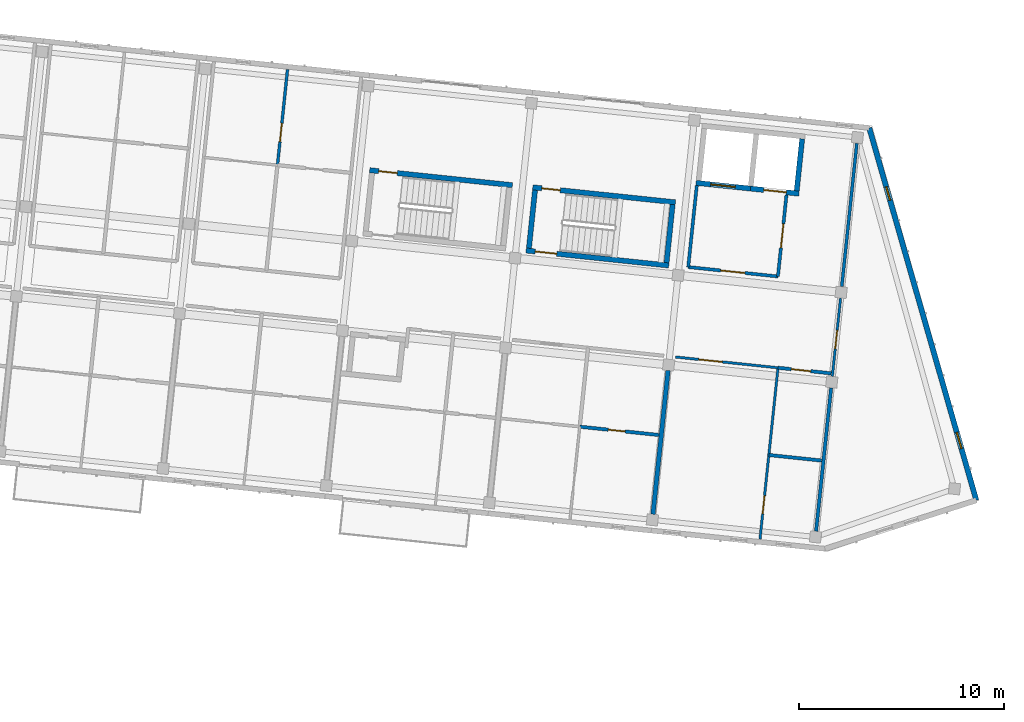
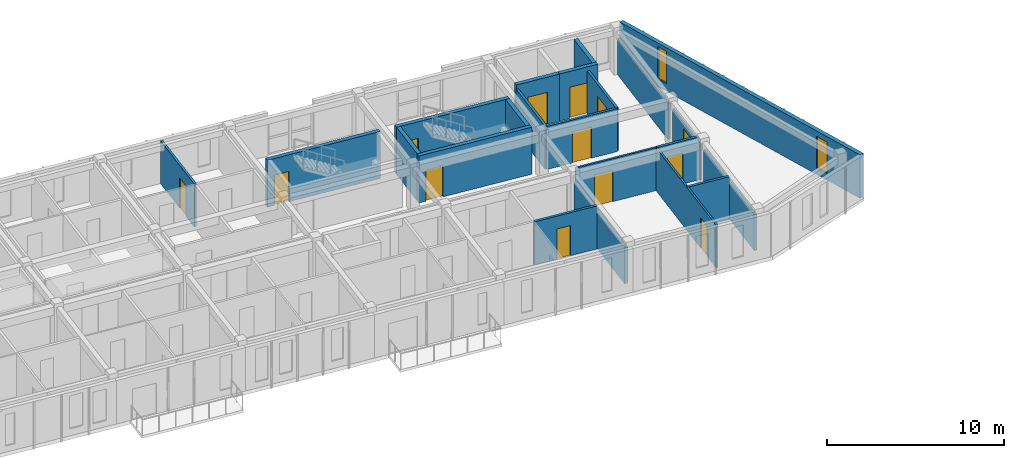
# One storey, part 35 of 74: 22 walls, 13 doors, 2 windows, 15 openings.
"""IFC4 building model written with IfcOpenShell, lengths in metres."""

from ifc_helpers import new_model, si_unit, direction, frame, frame_2d, origin, place, context, subcontext, project, spatial, rectangle, extrude, material, layer, layer_set, type_object, element, fill, save


model = new_model("IFC4")

# Units and contexts
model_context = context("Model", 3, precision=1e-05, world=origin(), true_north=direction((0.0, 1.0)))
body_context = subcontext(model_context, "Body", "Model", "MODEL_VIEW")
ifc_project = project(units=[si_unit("LENGTHUNIT", "METRE"), si_unit("AREAUNIT", "SQUARE_METRE"), si_unit("VOLUMEUNIT", "CUBIC_METRE"), si_unit("PLANEANGLEUNIT", "RADIAN"), si_unit("MASSUNIT", "GRAM", prefix="KILO")], contexts=[model_context])

# Site, building, storey
site_placement = place(None, origin())
site = spatial("IfcSite", under=ifc_project, at=site_placement, CompositionType="ELEMENT")
building_placement = place(site_placement, origin())
building = spatial("IfcBuilding", under=site, at=building_placement, Name="Kestramere Prow Commons", CompositionType="ELEMENT")
storey_placement = place(building_placement, frame((0.0, 0.0, 11.64990234375)))
storey = spatial("IfcBuildingStorey", under=building, at=storey_placement, Name="L03", CompositionType="ELEMENT", Elevation=11.64990234375)

# Wall, openings, windows
ifc_material_1 = material(Name="Weathered Zinc-Titanium Standing-Seam Cladding")
ifc_layer_1 = layer(ifc_material_1, 0.260009765625)
ifc_layer_set_1 = layer_set([ifc_layer_1], Name="Weathered Zinc-Titanium Standing-Seam Cladding")
wall_type_1 = type_object("IfcWallType", Name="EW-PROW-260", PredefinedType="SOLIDWALL", material=ifc_layer_set_1)
wall_1_placement = place(storey_placement, frame((160.36279296875, 109.742431640625, 0.0), z_axis=(0.0, 0.0, 1.0), x_axis=(0.276322184526, -0.961065060409, 0.0)))
wall_1 = element("IfcWall", 1, at=wall_1_placement, inside=storey, type_object=wall_type_1, Name="Block B L03 PRW-N Facet Wall", PredefinedType="SOLIDWALL", context=body_context, shape_type="SweptSolid", body=[
    extrude(rectangle(XDim=18.90673828125, YDim=0.260009765625, at=frame_2d((9.453369140625, 0.0))), origin(), (0.0, 0.0, 1.0), 3.0),
])
opening_1_placement = place(wall_1_placement, frame((2.989990234375, 0.0, 0.52001953125)))
opening_1 = element("IfcOpeningElement", 2, at=opening_1_placement, cuts=wall_1, Name="Opening WN-06", PredefinedType="OPENING", context=body_context, shape_type="SweptSolid", body=[
    extrude(rectangle(XDim=0.679931640625, YDim=2.239990234375, at=frame_2d((0.33984375, 1.1201171875))), frame((0.0, 0.14501953125, 0.0), z_axis=(0.0, -1.0, 0.0), x_axis=(1.0, 0.0, 0.0)), (0.0, 0.0, 1.0), 0.2900390625),
])
opening_2_placement = place(wall_1_placement, frame((15.456787109375, 0.0, 0.449951171875)))
opening_2 = element("IfcOpeningElement", 3, at=opening_2_placement, cuts=wall_1, Name="Opening WN-13", PredefinedType="OPENING", context=body_context, shape_type="SweptSolid", body=[
    extrude(rectangle(XDim=0.820068359375, YDim=2.179931640625, at=frame_2d((0.41015625, 1.08984375))), frame((0.0, 0.14501953125, 0.0), z_axis=(0.0, -1.0, 0.0), x_axis=(1.0, 0.0, 0.0)), (0.0, 0.0, 1.0), 0.2900390625),
])
ifc_material_2 = material(Name="Low-E Laminated Double Glazing", Category="glass")
window_type_1 = type_object("IfcWindowType", Name="WN-NAR-680A", PartitioningType="SINGLE_PANEL", PredefinedType="WINDOW", material=ifc_material_2)
window_1_placement = place(opening_1_placement, origin())
window_1 = element("IfcWindow", 4, at=window_1_placement, inside=storey, type_object=window_type_1, Name="WN-B-L03-PRW-N-0", OverallHeight=2.239990234375, OverallWidth=0.679931640625, PartitioningType="SINGLE_PANEL", PredefinedType="WINDOW", context=body_context, shape_type="SweptSolid", body=[
    extrude(rectangle(XDim=0.679931640625, YDim=2.239990234375, at=frame_2d((0.33984375, 1.1201171875))), frame((0.0, 0.030029296875, 0.0), z_axis=(0.0, -1.0, 0.0), x_axis=(1.0, 0.0, 0.0)), (0.0, 0.0, 1.0), 0.06005859375),
])
fill(opening_1, window_1)
window_type_2 = type_object("IfcWindowType", Name="WN-NAR-820A", PartitioningType="DOUBLE_PANEL_VERTICAL", PredefinedType="WINDOW", material=ifc_material_2)
window_2_placement = place(opening_2_placement, origin())
window_2 = element("IfcWindow", 5, at=window_2_placement, inside=storey, type_object=window_type_2, Name="WN-B-L03-PRW-N-1", OverallHeight=2.179931640625, OverallWidth=0.820068359375, PartitioningType="SINGLE_PANEL", PredefinedType="WINDOW", context=body_context, shape_type="SweptSolid", body=[
    extrude(rectangle(XDim=0.820068359375, YDim=2.179931640625, at=frame_2d((0.41015625, 1.08984375))), frame((0.0, 0.030029296875, 0.0), z_axis=(0.0, -1.0, 0.0), x_axis=(1.0, 0.0, 0.0)), (0.0, 0.0, 1.0), 0.06005859375),
])
fill(opening_2, window_2)

# Wall, opening, door
ifc_material_3 = material(Name="Concrete C40/50", Category="concrete")
ifc_layer_2 = layer(ifc_material_3, 0.25)
ifc_layer_set_2 = layer_set([ifc_layer_2], Name="Concrete C40/50")
wall_type_2 = type_object("IfcWallType", Name="W-CORE-250", PredefinedType="SHEAR", material=ifc_layer_set_2)
wall_2_placement = place(storey_placement, frame((151.9111328125, 107.061279296875, 0.0), z_axis=(0.0, 0.0, 1.0), x_axis=(0.994524939068, -0.104499500343, 0.0)))
wall_2 = element("IfcWall", 6, at=wall_2_placement, inside=storey, type_object=wall_type_2, Name="Block B L03 Fire Lift Shaft Front Wall", PredefinedType="SHEAR", context=body_context, shape_type="SweptSolid", body=[
    extrude(rectangle(XDim=2.675048828125, YDim=0.25, at=frame_2d((1.33740234375, 0.0))), origin(), (0.0, 0.0, 1.0), 3.25),
])
opening_3_placement = place(wall_2_placement, frame((0.719970703125, 0.0, 0.0)))
opening_3 = element("IfcOpeningElement", 7, at=opening_3_placement, cuts=wall_2, Name="Opening LD-02", PredefinedType="OPENING", context=body_context, shape_type="SweptSolid", body=[
    extrude(rectangle(XDim=1.199951171875, YDim=2.199951171875, at=frame_2d((0.60009765625, 1.10009765625))), frame((0.0, 0.139892578125, 0.0), z_axis=(0.0, -1.0, 0.0), x_axis=(1.0, 0.0, 0.0)), (0.0, 0.0, 1.0), 0.280029296875),
])
ifc_material_4 = material(Name="Brushed Stainless Steel 316", Category="steel")
door_type_1 = type_object("IfcDoorType", Name="LD-02", OperationType="DOUBLE_DOOR_SLIDING", PredefinedType="DOOR", material=ifc_material_4)
door_1_placement = place(opening_3_placement, origin())
door_1 = element("IfcDoor", 8, at=door_1_placement, inside=storey, type_object=door_type_1, Name="FL-B1 L03 Lift Landing Door", OperationType="DOUBLE_DOOR_SLIDING", OverallHeight=2.199951171875, OverallWidth=1.199951171875, PredefinedType="DOOR", context=body_context, shape_type="SweptSolid", body=[
    extrude(rectangle(XDim=1.199951171875, YDim=2.199951171875, at=frame_2d((0.60009765625, 1.10009765625))), frame((0.0, 0.02490234375, 0.0), z_axis=(0.0, -1.0, 0.0), x_axis=(1.0, 0.0, 0.0)), (0.0, 0.0, 1.0), 0.050048828125),
])
fill(opening_3, door_1)

wall_3_placement = place(storey_placement, frame((154.571533203125, 106.78173828125, 0.0), z_axis=(0.0, 0.0, 1.0), x_axis=(0.994520650134, -0.1045403102, 0.0)))
wall_3 = element("IfcWall", 9, at=wall_3_placement, inside=storey, type_object=wall_type_2, Name="Block B L03 Passenger Lift Shaft Front Wall", PredefinedType="SHEAR", context=body_context, shape_type="SweptSolid", body=[
    extrude(rectangle(XDim=2.375, YDim=0.25, at=frame_2d((1.1875, 0.0))), origin(), (0.0, 0.0, 1.0), 3.25),
])
opening_4_placement = place(wall_3_placement, frame((0.64990234375, 0.0, 0.0)))
opening_4 = element("IfcOpeningElement", 10, at=opening_4_placement, cuts=wall_3, Name="Opening LD-01", PredefinedType="OPENING", context=body_context, shape_type="SweptSolid", body=[
    extrude(rectangle(XDim=1.10009765625, YDim=2.14990234375, at=frame_2d((0.550048828125, 1.074951171875))), frame((0.0, 0.139892578125, 0.0), z_axis=(0.0, -1.0, 0.0), x_axis=(1.0, 0.0, 0.0)), (0.0, 0.0, 1.0), 0.280029296875),
])
ifc_material_5 = material(Name="Brushed Stainless Steel 304", Category="steel")
door_type_2 = type_object("IfcDoorType", Name="LD-01", OperationType="DOUBLE_DOOR_SLIDING", PredefinedType="DOOR", material=ifc_material_5)
door_2_placement = place(opening_4_placement, origin())
door_2 = element("IfcDoor", 11, at=door_2_placement, inside=storey, type_object=door_type_2, Name="PL-B2 L03 Lift Landing Door", OperationType="DOUBLE_DOOR_SLIDING", OverallHeight=2.14990234375, OverallWidth=1.10009765625, PredefinedType="DOOR", context=body_context, shape_type="SweptSolid", body=[
    extrude(rectangle(XDim=1.10009765625, YDim=2.14990234375, at=frame_2d((0.550048828125, 1.074951171875))), frame((0.0, 0.02490234375, 0.0), z_axis=(0.0, -1.0, 0.0), x_axis=(1.0, 0.0, 0.0)), (0.0, 0.0, 1.0), 0.050048828125),
])
fill(opening_4, door_2)

# Wall
wall_4_placement = place(storey_placement, frame((156.822265625, 106.670654296875, 0.0), z_axis=(0.0, 0.0, 1.0), x_axis=(0.104545242946, 0.99452013161, 0.0)))
element("IfcWall", 12, at=wall_4_placement, inside=storey, type_object=wall_type_2, Name="Block B L03 Lift Core Side Wall R", PredefinedType="SHEAR", context=body_context, shape_type="SweptSolid", body=[
    extrude(rectangle(XDim=2.550048828125, YDim=0.25, at=frame_2d((1.27490234375, 0.0))), origin(), (0.0, 0.0, 1.0), 3.25),
])

# Wall, opening, door
wall_5_placement = place(storey_placement, frame((135.988525390625, 107.678955078125, 0.0), z_axis=(0.0, 0.0, 1.0), x_axis=(0.994522066748, -0.104526832686, 0.0)))
wall_5 = element("IfcWall", 13, at=wall_5_placement, inside=storey, type_object=wall_type_2, Name="ST-B1 L03 North Shaft Wall", PredefinedType="SHEAR", context=body_context, shape_type="SweptSolid", body=[
    extrude(rectangle(XDim=7.0, YDim=0.25, at=frame_2d((3.5, 0.0))), origin(), (0.0, 0.0, 1.0), 3.25),
])
opening_5_placement = place(wall_5_placement, frame((0.449951171875, 0.0, 0.0)))
opening_5 = element("IfcOpeningElement", 14, at=opening_5_placement, cuts=wall_5, Name="Opening ID-08", PredefinedType="OPENING", context=body_context, shape_type="SweptSolid", body=[
    extrude(rectangle(XDim=0.89990234375, YDim=2.10009765625, at=frame_2d((0.449951171875, 1.050048828125))), frame((0.0, 0.139892578125, 0.0), z_axis=(0.0, -1.0, 0.0), x_axis=(1.0, 0.0, 0.0)), (0.0, 0.0, 1.0), 0.280029296875),
])
ifc_material_6 = material(Name="Engineered Timber Flush Door", Category="wood")
door_type_3 = type_object("IfcDoorType", Name="D-RM-01", OperationType="NOTDEFINED", PredefinedType="DOOR", material=ifc_material_6)
door_3_placement = place(opening_5_placement, origin())
door_3 = element("IfcDoor", 15, at=door_3_placement, inside=storey, type_object=door_type_3, Name="ST-B1 L03 North Room Door", OperationType="SINGLE_SWING_RIGHT", OverallHeight=2.10009765625, OverallWidth=0.89990234375, PredefinedType="DOOR", context=body_context, shape_type="SweptSolid", body=[
    extrude(rectangle(XDim=0.89990234375, YDim=2.10009765625, at=frame_2d((0.449951171875, 1.050048828125))), frame((0.0, 0.02490234375, 0.0), z_axis=(0.0, -1.0, 0.0), x_axis=(1.0, 0.0, 0.0)), (0.0, 0.0, 1.0), 0.050048828125),
])
fill(opening_5, door_3)

wall_6_placement = place(storey_placement, frame((143.94482421875, 106.8427734375, 0.0), z_axis=(0.0, 0.0, 1.0), x_axis=(0.994522066748, -0.104526832686, 0.0)))
wall_6 = element("IfcWall", 16, at=wall_6_placement, inside=storey, type_object=wall_type_2, Name="ST-B2 L03 North Shaft Wall", PredefinedType="SHEAR", context=body_context, shape_type="SweptSolid", body=[
    extrude(rectangle(XDim=7.0, YDim=0.25, at=frame_2d((3.5, 0.0))), origin(), (0.0, 0.0, 1.0), 3.25),
])
opening_6_placement = place(wall_6_placement, frame((0.449951171875, 0.0, 0.0)))
opening_6 = element("IfcOpeningElement", 17, at=opening_6_placement, cuts=wall_6, Name="Opening ID-08", PredefinedType="OPENING", context=body_context, shape_type="SweptSolid", body=[
    extrude(rectangle(XDim=0.89990234375, YDim=2.10009765625, at=frame_2d((0.449951171875, 1.050048828125))), frame((0.0, 0.139892578125, 0.0), z_axis=(0.0, -1.0, 0.0), x_axis=(1.0, 0.0, 0.0)), (0.0, 0.0, 1.0), 0.280029296875),
])
door_4_placement = place(opening_6_placement, origin())
door_4 = element("IfcDoor", 18, at=door_4_placement, inside=storey, type_object=door_type_3, Name="ST-B2 L03 North Room Door", OperationType="SINGLE_SWING_RIGHT", OverallHeight=2.10009765625, OverallWidth=0.89990234375, PredefinedType="DOOR", context=body_context, shape_type="SweptSolid", body=[
    extrude(rectangle(XDim=0.89990234375, YDim=2.10009765625, at=frame_2d((0.449951171875, 1.050048828125))), frame((0.0, 0.02490234375, 0.0), z_axis=(0.0, -1.0, 0.0), x_axis=(1.0, 0.0, 0.0)), (0.0, 0.0, 1.0), 0.050048828125),
])
fill(opening_6, door_4)

wall_7_placement = place(storey_placement, frame((143.62060546875, 103.759765625, 0.0), z_axis=(0.0, 0.0, 1.0), x_axis=(0.994522066748, -0.104526832686, 0.0)))
wall_7 = element("IfcWall", 19, at=wall_7_placement, inside=storey, type_object=wall_type_2, Name="ST-B2 L03 Corridor Shaft Wall", PredefinedType="SHEAR", context=body_context, shape_type="SweptSolid", body=[
    extrude(rectangle(XDim=7.0, YDim=0.25, at=frame_2d((3.5, 0.0))), origin(), (0.0, 0.0, 1.0), 3.25),
])
opening_7_placement = place(wall_7_placement, frame((0.449951171875, 0.0, 0.0)))
opening_7 = element("IfcOpeningElement", 20, at=opening_7_placement, cuts=wall_7, Name="Opening ID-01", PredefinedType="OPENING", context=body_context, shape_type="SweptSolid", body=[
    extrude(rectangle(XDim=1.050048828125, YDim=2.14990234375, at=frame_2d((0.52490234375, 1.074951171875))), frame((0.0, 0.139892578125, 0.0), z_axis=(0.0, -1.0, 0.0), x_axis=(1.0, 0.0, 0.0)), (0.0, 0.0, 1.0), 0.280029296875),
])
ifc_material_7 = material(Name="Fire-Rated Timber and Steel Frame", Category="steel")
door_type_4 = type_object("IfcDoorType", Name="FD-ST-01", OperationType="NOTDEFINED", PredefinedType="DOOR", material=ifc_material_7)
door_5_placement = place(opening_7_placement, origin())
door_5 = element("IfcDoor", 21, at=door_5_placement, inside=storey, type_object=door_type_4, Name="ST-B2 L03 Protected Stair Door", OperationType="SINGLE_SWING_RIGHT", OverallHeight=2.14990234375, OverallWidth=1.050048828125, PredefinedType="DOOR", context=body_context, shape_type="SweptSolid", body=[
    extrude(rectangle(XDim=1.050048828125, YDim=2.14990234375, at=frame_2d((0.52490234375, 1.074951171875))), frame((0.0, 0.02490234375, 0.0), z_axis=(0.0, -1.0, 0.0), x_axis=(1.0, 0.0, 0.0)), (0.0, 0.0, 1.0), 0.050048828125),
])
fill(opening_7, door_5)

# Walls
for number, where, z_axis, x_axis, name in (
    (22, (143.758056640625, 103.87109375, 0.0), (0.0, 0.0, 1.0), (0.104515324063, 0.994523276267, 0.0), "ST-B2 L03 Near Shaft Wall"),
    (23, (150.47119140625, 103.16552734375, 0.0), (0.0, 0.0, 1.0), (0.104515324063, 0.994523276267, 0.0), "ST-B2 L03 Far Shaft Wall"),
):
    element("IfcWall", number, at=place(storey_placement, frame(where, z_axis=z_axis, x_axis=x_axis)), inside=storey, type_object=wall_type_2, Name=name, PredefinedType="SHEAR", context=body_context, shape_type="SweptSolid", body=[
        extrude(rectangle(XDim=2.849853515625, YDim=0.25, at=frame_2d((1.4248046875, 0.0))), origin(), (0.0, 0.0, 1.0), 3.25),
    ])

# Wall, opening, door
ifc_material_8 = material(Name="Fire-Rated Calcium Silicate Wall")
ifc_layer_3 = layer(ifc_material_8, 0.155029296875)
ifc_layer_set_3 = layer_set([ifc_layer_3], Name="Fire-Rated Calcium Silicate Wall")
wall_type_3 = type_object("IfcWallType", Name="W-FIRE-150", PredefinedType="PARTITIONING", material=ifc_layer_set_3)
wall_8_placement = place(storey_placement, frame((151.52978515625, 102.95361328125, 0.0), z_axis=(0.0, 0.0, 1.0), x_axis=(0.994521251134, -0.104534592565, 0.0)))
wall_8 = element("IfcWall", 24, at=wall_8_placement, inside=storey, type_object=wall_type_3, Name="Interior Partition PW-B-L03-FFL-S", PredefinedType="PARTITIONING", context=body_context, shape_type="SweptSolid", body=[
    extrude(rectangle(XDim=4.400146484375, YDim=0.155029296875, at=frame_2d((2.2001953125, 0.0))), origin(), (0.0, 0.0, 1.0), 2.97021484375),
])
opening_8_placement = place(wall_8_placement, frame((1.60009765625, 0.0, 0.0)))
opening_8 = element("IfcOpeningElement", 25, at=opening_8_placement, cuts=wall_8, Name="Opening ID-03", PredefinedType="OPENING", context=body_context, shape_type="SweptSolid", body=[
    extrude(rectangle(XDim=1.179931640625, YDim=2.14990234375, at=frame_2d((0.58984375, 1.074951171875))), frame((0.0, 0.092529296875, 0.0), z_axis=(0.0, -1.0, 0.0), x_axis=(1.0, 0.0, 0.0)), (0.0, 0.0, 1.0), 0.18505859375),
])
ifc_material_9 = material(Name="Fire-Rated Glazed Smoke-Stop Door")
door_type_5 = type_object("IfcDoorType", Name="FD-LB-01", OperationType="NOTDEFINED", PredefinedType="DOOR", material=ifc_material_9)
door_6_placement = place(opening_8_placement, origin())
door_6 = element("IfcDoor", 26, at=door_6_placement, inside=storey, type_object=door_type_5, Name="Interior Door DR-B-L03-FFL", OperationType="SINGLE_SWING_RIGHT", OverallHeight=2.14990234375, OverallWidth=1.179931640625, PredefinedType="DOOR", context=body_context, shape_type="SweptSolid", body=[
    extrude(rectangle(XDim=1.179931640625, YDim=2.14990234375, at=frame_2d((0.58984375, 1.074951171875))), frame((0.0, 0.02490234375, 0.0), z_axis=(0.0, -1.0, 0.0), x_axis=(1.0, 0.0, 0.0)), (0.0, 0.0, 1.0), 0.050048828125),
])
fill(opening_8, door_6)

# Wall
wall_9_placement = place(storey_placement, frame((151.52978515625, 102.95361328125, 0.0), z_axis=(0.0, 0.0, 1.0), x_axis=(0.104554517933, 0.994519156568, 0.0)))
element("IfcWall", 27, at=wall_9_placement, inside=storey, type_object=wall_type_3, Name="Interior Partition PW-B-L03-FFL-W", PredefinedType="PARTITIONING", context=body_context, shape_type="SweptSolid", body=[
    extrude(rectangle(XDim=4.0, YDim=0.155029296875, at=frame_2d((2.0, 0.0))), origin(), (0.0, 0.0, 1.0), 2.97021484375),
])

# Wall, opening, door
wall_10_placement = place(storey_placement, frame((155.90576171875, 102.49365234375, 0.0), z_axis=(0.0, 0.0, 1.0), x_axis=(0.104494148666, 0.99452550138, 0.0)))
wall_10 = element("IfcWall", 28, at=wall_10_placement, inside=storey, type_object=wall_type_3, Name="Interior Partition PW-B-L03-FFL-E", PredefinedType="PARTITIONING", context=body_context, shape_type="SweptSolid", body=[
    extrude(rectangle(XDim=4.0, YDim=0.155029296875, at=frame_2d((2.0, 0.0))), origin(), (0.0, 0.0, 1.0), 2.97021484375),
])
opening_9_placement = place(wall_10_placement, frame((1.39990234375, 0.0, 0.0)))
opening_9 = element("IfcOpeningElement", 29, at=opening_9_placement, cuts=wall_10, Name="Opening ID-03", PredefinedType="OPENING", context=body_context, shape_type="SweptSolid", body=[
    extrude(rectangle(XDim=1.179931640625, YDim=2.14990234375, at=frame_2d((0.58984375, 1.074951171875))), frame((0.0, 0.092529296875, 0.0), z_axis=(0.0, -1.0, 0.0), x_axis=(1.0, 0.0, 0.0)), (0.0, 0.0, 1.0), 0.18505859375),
])
door_7_placement = place(opening_9_placement, origin())
door_7 = element("IfcDoor", 30, at=door_7_placement, inside=storey, type_object=door_type_5, Name="Interior Door DR-B-L03-FFL-PL", OperationType="SINGLE_SWING_LEFT", OverallHeight=2.14990234375, OverallWidth=1.179931640625, PredefinedType="DOOR", context=body_context, shape_type="SweptSolid", body=[
    extrude(rectangle(XDim=1.179931640625, YDim=2.14990234375, at=frame_2d((0.58984375, 1.074951171875))), frame((0.0, 0.02490234375, 0.0), z_axis=(0.0, -1.0, 0.0), x_axis=(1.0, 0.0, 0.0)), (0.0, 0.0, 1.0), 0.050048828125),
])
fill(opening_9, door_7)

ifc_material_10 = material(Name="Lightweight Blockwork and Plaster", Category="masonry")
ifc_layer_4 = layer(ifc_material_10, 0.1201171875)
ifc_layer_set_4 = layer_set([ifc_layer_4], Name="Lightweight Blockwork and Plaster")
wall_type_4 = type_object("IfcWallType", Name="W-PART-120", PredefinedType="PARTITIONING", material=ifc_layer_set_4)
wall_11_placement = place(storey_placement, frame((158.561279296875, 97.62451171875, 0.0), z_axis=(0.0, 0.0, 1.0), x_axis=(0.104545412893, 0.994520113745, 0.0)))
wall_11 = element("IfcWall", 31, at=wall_11_placement, inside=storey, type_object=wall_type_4, Name="Interior Partition PW-B-L03-PROW-ACC", PredefinedType="PARTITIONING", context=body_context, shape_type="SweptSolid", body=[
    extrude(rectangle(XDim=3.829833984375, YDim=0.1201171875, at=frame_2d((1.9150390625, 0.0))), origin(), (0.0, 0.0, 1.0), 2.5),
])
opening_10_placement = place(wall_11_placement, frame((1.35009765625, 0.0, 0.0)))
opening_10 = element("IfcOpeningElement", 32, at=opening_10_placement, cuts=wall_11, Name="Opening ID-08", PredefinedType="OPENING", context=body_context, shape_type="SweptSolid", body=[
    extrude(rectangle(XDim=0.89990234375, YDim=2.10009765625, at=frame_2d((0.449951171875, 1.050048828125))), frame((0.0, 0.074951171875, 0.0), z_axis=(0.0, -1.0, 0.0), x_axis=(1.0, 0.0, 0.0)), (0.0, 0.0, 1.0), 0.150146484375),
])
door_8_placement = place(opening_10_placement, origin())
door_8 = element("IfcDoor", 33, at=door_8_placement, inside=storey, type_object=door_type_3, Name="Interior Door DR-B-L03-PROW", OperationType="SINGLE_SWING_LEFT", OverallHeight=2.10009765625, OverallWidth=0.89990234375, PredefinedType="DOOR", context=body_context, shape_type="SweptSolid", body=[
    extrude(rectangle(XDim=0.89990234375, YDim=2.10009765625, at=frame_2d((0.449951171875, 1.050048828125))), frame((0.0, 0.02490234375, 0.0), z_axis=(0.0, -1.0, 0.0), x_axis=(1.0, 0.0, 0.0)), (0.0, 0.0, 1.0), 0.050048828125),
])
fill(opening_10, door_8)

wall_12_placement = place(storey_placement, frame((150.902587890625, 98.565185546875, 0.0), z_axis=(0.0, 0.0, 1.0), x_axis=(0.994520851776, -0.104538391908, 0.0)))
wall_12 = element("IfcWall", 34, at=wall_12_placement, inside=storey, type_object=wall_type_4, Name="Interior Partition PW-B-L03-CS-5A", PredefinedType="PARTITIONING", context=body_context, shape_type="SweptSolid", body=[
    extrude(rectangle(XDim=5.03515625, YDim=0.1201171875, at=frame_2d((2.517578125, 0.0))), origin(), (0.0, 0.0, 1.0), 2.97021484375),
])
opening_11_placement = place(wall_12_placement, frame((1.14990234375, 0.0, 0.0)))
opening_11 = element("IfcOpeningElement", 35, at=opening_11_placement, cuts=wall_12, Name="Opening ID-09", PredefinedType="OPENING", context=body_context, shape_type="SweptSolid", body=[
    extrude(rectangle(XDim=1.14990234375, YDim=2.14990234375, at=frame_2d((0.574951171875, 1.074951171875))), frame((0.0, 0.074951171875, 0.0), z_axis=(0.0, -1.0, 0.0), x_axis=(1.0, 0.0, 0.0)), (0.0, 0.0, 1.0), 0.150146484375),
])
ifc_material_11 = material(Name="Engineered Timber Acoustic Door", Category="wood")
door_type_6 = type_object("IfcDoorType", Name="D-RM-02", OperationType="NOTDEFINED", PredefinedType="DOOR", material=ifc_material_11)
door_9_placement = place(opening_11_placement, origin())
door_9 = element("IfcDoor", 36, at=door_9_placement, inside=storey, type_object=door_type_6, Name="Interior Door DR-B-L03-SKY-5", OperationType="SINGLE_SWING_LEFT", OverallHeight=2.14990234375, OverallWidth=1.14990234375, PredefinedType="DOOR", context=body_context, shape_type="SweptSolid", body=[
    extrude(rectangle(XDim=1.14990234375, YDim=2.14990234375, at=frame_2d((0.574951171875, 1.074951171875))), frame((0.0, 0.02490234375, 0.0), z_axis=(0.0, -1.0, 0.0), x_axis=(1.0, 0.0, 0.0)), (0.0, 0.0, 1.0), 0.050048828125),
])
fill(opening_11, door_9)

wall_13_placement = place(storey_placement, frame((155.031005859375, 89.6748046875, 0.0), z_axis=(0.0, 0.0, 1.0), x_axis=(0.10453518206, 0.994521189172, 0.0)))
wall_13 = element("IfcWall", 37, at=wall_13_placement, inside=storey, type_object=wall_type_4, Name="Interior Partition PW-B-L03-SKDV-5", PredefinedType="PARTITIONING", context=body_context, shape_type="SweptSolid", body=[
    extrude(rectangle(XDim=8.41015625, YDim=0.1201171875, at=frame_2d((4.205078125, 0.0))), origin(), (0.0, 0.0, 1.0), 2.97021484375),
])
opening_12_placement = place(wall_13_placement, frame((1.25, 0.0, 0.0)))
opening_12 = element("IfcOpeningElement", 38, at=opening_12_placement, cuts=wall_13, Name="Opening ID-10", PredefinedType="OPENING", context=body_context, shape_type="SweptSolid", body=[
    extrude(rectangle(XDim=0.8798828125, YDim=2.10009765625, at=frame_2d((0.43994140625, 1.050048828125))), frame((0.0, 0.074951171875, 0.0), z_axis=(0.0, -1.0, 0.0), x_axis=(1.0, 0.0, 0.0)), (0.0, 0.0, 1.0), 0.150146484375),
])
ifc_material_12 = material(Name="Engineered Timber Bedroom Door", Category="wood")
door_type_7 = type_object("IfcDoorType", Name="D-RM-03", OperationType="NOTDEFINED", PredefinedType="DOOR", material=ifc_material_12)
door_10_placement = place(opening_12_placement, origin())
door_10 = element("IfcDoor", 39, at=door_10_placement, inside=storey, type_object=door_type_7, Name="Interior Door DR-B-L03-SKAL-5", OperationType="SINGLE_SWING_LEFT", OverallHeight=2.10009765625, OverallWidth=0.8798828125, PredefinedType="DOOR", context=body_context, shape_type="SweptSolid", body=[
    extrude(rectangle(XDim=0.8798828125, YDim=2.10009765625, at=frame_2d((0.43994140625, 1.050048828125))), frame((0.0, 0.02490234375, 0.0), z_axis=(0.0, -1.0, 0.0), x_axis=(1.0, 0.0, 0.0)), (0.0, 0.0, 1.0), 0.050048828125),
])
fill(opening_12, door_10)

ifc_material_13 = material(Name="Masonry Compartment Wall", Category="masonry")
ifc_layer_5 = layer(ifc_material_13, 0.139892578125)
ifc_layer_set_5 = layer_set([ifc_layer_5], Name="Masonry Compartment Wall")
wall_type_5 = type_object("IfcWallType", Name="W-PART-140", PredefinedType="PARTITIONING", material=ifc_layer_set_5)
wall_14_placement = place(storey_placement, frame((131.48974609375, 107.925537109375, 0.0), z_axis=(0.0, 0.0, 1.0), x_axis=(0.104527618124, 0.994521984196, 0.0)))
wall_14 = element("IfcWall", 40, at=wall_14_placement, inside=storey, type_object=wall_type_5, Name="Interior Partition PW-B-L03-LB-N2", PredefinedType="PARTITIONING", context=body_context, shape_type="SweptSolid", body=[
    extrude(rectangle(XDim=4.68994140625, YDim=0.139892578125, at=frame_2d((2.344970703125, 0.0))), origin(), (0.0, 0.0, 1.0), 2.97021484375),
])
opening_13_placement = place(wall_14_placement, frame((1.14990234375, 0.0, 0.0)))
opening_13 = element("IfcOpeningElement", 41, at=opening_13_placement, cuts=wall_14, Name="Opening ID-08", PredefinedType="OPENING", context=body_context, shape_type="SweptSolid", body=[
    extrude(rectangle(XDim=0.89990234375, YDim=2.10009765625, at=frame_2d((0.449951171875, 1.050048828125))), frame((0.0, 0.0849609375, 0.0), z_axis=(0.0, -1.0, 0.0), x_axis=(1.0, 0.0, 0.0)), (0.0, 0.0, 1.0), 0.169921875),
])
door_11_placement = place(opening_13_placement, origin())
door_11 = element("IfcDoor", 42, at=door_11_placement, inside=storey, type_object=door_type_3, Name="Interior Door DR-B-L03-BED-N2", OperationType="SINGLE_SWING_LEFT", OverallHeight=2.10009765625, OverallWidth=0.89990234375, PredefinedType="DOOR", context=body_context, shape_type="SweptSolid", body=[
    extrude(rectangle(XDim=0.89990234375, YDim=2.10009765625, at=frame_2d((0.449951171875, 1.050048828125))), frame((0.0, 0.02490234375, 0.0), z_axis=(0.0, -1.0, 0.0), x_axis=(1.0, 0.0, 0.0)), (0.0, 0.0, 1.0), 0.050048828125),
])
fill(opening_13, door_11)

# Walls
ifc_layer_6 = layer(ifc_material_13, 0.14990234375)
ifc_layer_set_6 = layer_set([ifc_layer_6], Name="Masonry Compartment Wall")
wall_type_6 = type_object("IfcWallType", Name="W-PART-150", PredefinedType="PARTITIONING", material=ifc_layer_set_6)
wall_15_placement = place(storey_placement, frame((159.021240234375, 102.000244140625, 0.0), z_axis=(0.0, 0.0, 1.0), x_axis=(0.10452931889, 0.994521805438, 0.0)))
element("IfcWall", 43, at=wall_15_placement, inside=storey, type_object=wall_type_6, Name="Interior Partition PW-B-L03-PRW-N", PredefinedType="PARTITIONING", context=body_context, shape_type="SweptSolid", body=[
    extrude(rectangle(XDim=7.0302734375, YDim=0.14990234375, at=frame_2d((3.51513671875, 0.0))), origin(), (0.0, 0.0, 1.0), 2.5),
])
ifc_material_14 = material(Name="Waterproof Sanitary Masonry Wall", Category="masonry")
ifc_layer_7 = layer(ifc_material_14, 0.1650390625)
ifc_layer_set_7 = layer_set([ifc_layer_7], Name="Waterproof Sanitary Masonry Wall")
wall_type_7 = type_object("IfcWallType", Name="W-PLUMB-150", PredefinedType="PLUMBINGWALL", material=ifc_layer_set_7)
wall_16_placement = place(storey_placement, frame((157.766845703125, 90.066162109375, 0.0), z_axis=(0.0, 0.0, 1.0), x_axis=(0.104532929154, 0.994521425975, 0.0)))
element("IfcWall", 44, at=wall_16_placement, inside=storey, type_object=wall_type_7, Name="Interior Partition PW-B-L03-PRWE-S", PredefinedType="PLUMBINGWALL", context=body_context, shape_type="SweptSolid", body=[
    extrude(rectangle(XDim=7.030029296875, YDim=0.1650390625, at=frame_2d((3.51513671875, 0.0))), origin(), (0.0, 0.0, 1.0), 2.5),
])

# Wall, opening, door
wall_17_placement = place(storey_placement, frame((146.236572265625, 95.164306640625, 0.0), z_axis=(0.0, 0.0, 1.0), x_axis=(0.994517841934, -0.104567021925, 0.0)))
wall_17 = element("IfcWall", 45, at=wall_17_placement, inside=storey, type_object=wall_type_7, Name="Interior Partition PW-B-L03-MIDS2-4", PredefinedType="PLUMBINGWALL", context=body_context, shape_type="SweptSolid", body=[
    extrude(rectangle(XDim=3.885009765625, YDim=0.1650390625, at=frame_2d((1.9423828125, 0.0))), origin(), (0.0, 0.0, 1.0), 2.97021484375),
])
opening_14_placement = place(wall_17_placement, frame((1.39990234375, 0.0, 0.0)))
opening_14 = element("IfcOpeningElement", 46, at=opening_14_placement, cuts=wall_17, Name="Opening ID-11", PredefinedType="OPENING", context=body_context, shape_type="SweptSolid", body=[
    extrude(rectangle(XDim=0.820068359375, YDim=2.080078125, at=frame_2d((0.41015625, 1.0400390625))), frame((0.0, 0.097412109375, 0.0), z_axis=(0.0, -1.0, 0.0), x_axis=(1.0, 0.0, 0.0)), (0.0, 0.0, 1.0), 0.195068359375),
])
ifc_material_15 = material(Name="Moisture-Resistant Timber Bathroom Door", Category="wood")
door_type_8 = type_object("IfcDoorType", Name="D-BT-01", OperationType="NOTDEFINED", PredefinedType="DOOR", material=ifc_material_15)
door_12_placement = place(opening_14_placement, origin())
door_12 = element("IfcDoor", 47, at=door_12_placement, inside=storey, type_object=door_type_8, Name="Interior Door DR-B-L03-BTH-S4", OperationType="SINGLE_SWING_LEFT", OverallHeight=2.080078125, OverallWidth=0.820068359375, PredefinedType="DOOR", context=body_context, shape_type="SweptSolid", body=[
    extrude(rectangle(XDim=0.820068359375, YDim=2.080078125, at=frame_2d((0.41015625, 1.0400390625))), frame((0.0, 0.02490234375, 0.0), z_axis=(0.0, -1.0, 0.0), x_axis=(1.0, 0.0, 0.0)), (0.0, 0.0, 1.0), 0.050048828125),
])
fill(opening_14, door_12)

wall_18_placement = place(storey_placement, frame((155.91015625, 98.038818359375, 0.0), z_axis=(0.0, 0.0, 1.0), x_axis=(0.994526447543, -0.104485143144, 0.0)))
wall_18 = element("IfcWall", 48, at=wall_18_placement, inside=storey, type_object=wall_type_7, Name="Interior Partition PW-B-L03-CS-5B", PredefinedType="PLUMBINGWALL", context=body_context, shape_type="SweptSolid", body=[
    extrude(rectangle(XDim=2.610107421875, YDim=0.1650390625, at=frame_2d((1.30517578125, 0.0))), origin(), (0.0, 0.0, 1.0), 2.97021484375),
])
opening_15_placement = place(wall_18_placement, frame((0.64990234375, 0.0, 0.0)))
opening_15 = element("IfcOpeningElement", 49, at=opening_15_placement, cuts=wall_18, Name="Opening ID-13", PredefinedType="OPENING", context=body_context, shape_type="SweptSolid", body=[
    extrude(rectangle(XDim=0.9599609375, YDim=2.1201171875, at=frame_2d((0.47998046875, 1.06005859375))), frame((0.0, 0.097412109375, 0.0), z_axis=(0.0, -1.0, 0.0), x_axis=(1.0, 0.0, 0.0)), (0.0, 0.0, 1.0), 0.195068359375),
])
ifc_material_16 = material(Name="Accessible Wide-Leaf Timber Door", Category="wood")
door_type_9 = type_object("IfcDoorType", Name="D-ACC-01", OperationType="NOTDEFINED", PredefinedType="DOOR", material=ifc_material_16)
door_13_placement = place(opening_15_placement, origin())
door_13 = element("IfcDoor", 50, at=door_13_placement, inside=storey, type_object=door_type_9, Name="Interior Door DR-B-L03-SKWC-5", OperationType="SINGLE_SWING_RIGHT", OverallHeight=2.1201171875, OverallWidth=0.9599609375, PredefinedType="DOOR", context=body_context, shape_type="SweptSolid", body=[
    extrude(rectangle(XDim=0.9599609375, YDim=2.1201171875, at=frame_2d((0.47998046875, 1.06005859375))), frame((0.0, 0.02490234375, 0.0), z_axis=(0.0, -1.0, 0.0), x_axis=(1.0, 0.0, 0.0)), (0.0, 0.0, 1.0), 0.050048828125),
])
fill(opening_15, door_13)

# Walls
wall_19_placement = place(storey_placement, frame((155.462646484375, 93.7822265625, 0.0), z_axis=(0.0, 0.0, 1.0), x_axis=(0.994521452323, -0.104532678478, 0.0)))
element("IfcWall", 51, at=wall_19_placement, inside=storey, type_object=wall_type_7, Name="Interior Partition PW-B-L03-SKHZ-5", PredefinedType="PLUMBINGWALL", context=body_context, shape_type="SweptSolid", body=[
    extrude(rectangle(XDim=2.590087890625, YDim=0.1650390625, at=frame_2d((1.294921875, 0.0))), origin(), (0.0, 0.0, 1.0), 2.97021484375),
])
ifc_material_17 = material(Name="Precast concrete C40/50", Category="concrete")
ifc_layer_8 = layer(ifc_material_17, 0.219970703125)
ifc_layer_set_8 = layer_set([ifc_layer_8], Name="Precast concrete C40/50")
wall_type_8 = type_object("IfcWallType", Name="W-XWALL-220", PredefinedType="SHEAR", material=ifc_layer_set_8)
wall_20_placement = place(storey_placement, frame((149.8095703125, 90.892333984375, 0.0), z_axis=(0.0, 0.0, 1.0), x_axis=(0.104545981508, 0.994520053971, 0.0)))
element("IfcWall", 52, at=wall_20_placement, inside=storey, type_object=wall_type_8, Name="Block B L03 Precast Cross-Wall 5", PredefinedType="SHEAR", context=body_context, shape_type="SweptSolid", body=[
    extrude(rectangle(XDim=7.050048828125, YDim=0.219970703125, at=frame_2d((3.52490234375, 0.0))), origin(), (0.0, 0.0, 1.0), 2.5),
])

save(model, "model.ifc")
